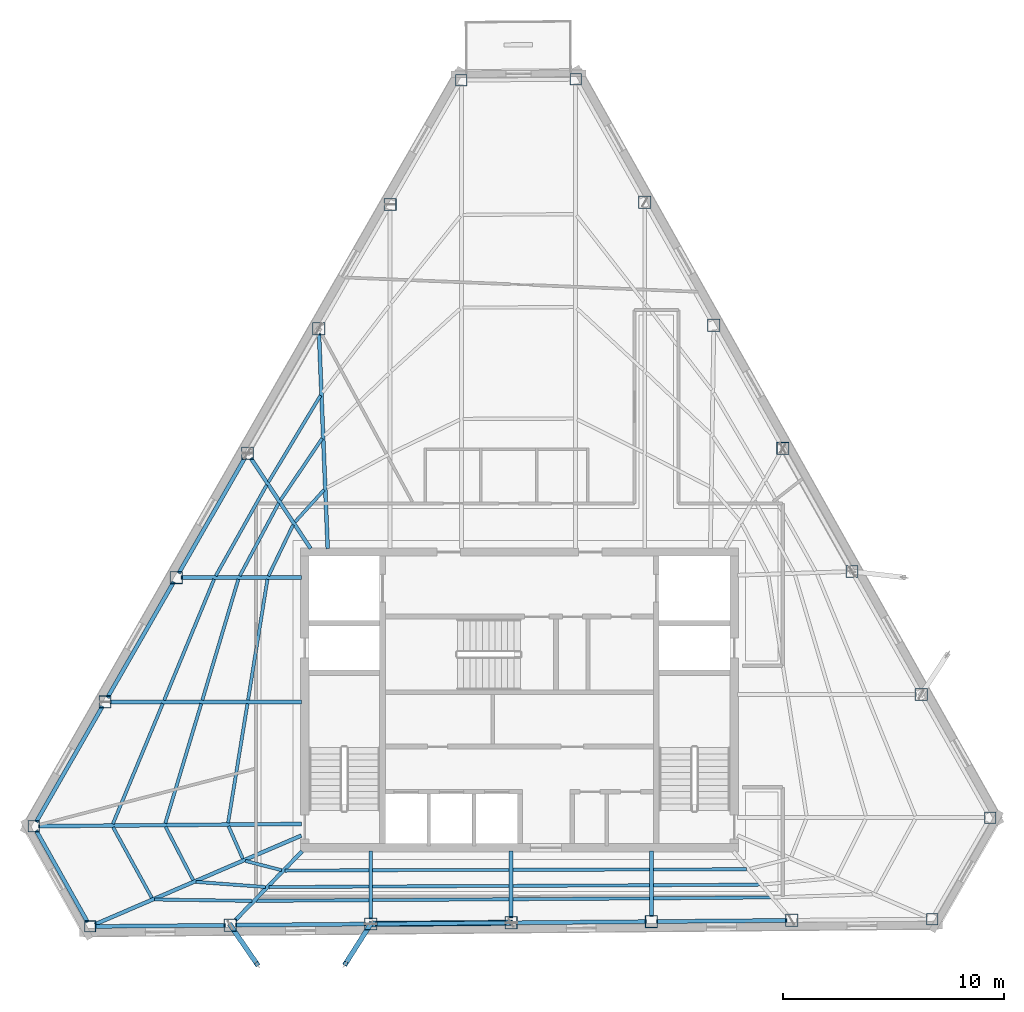
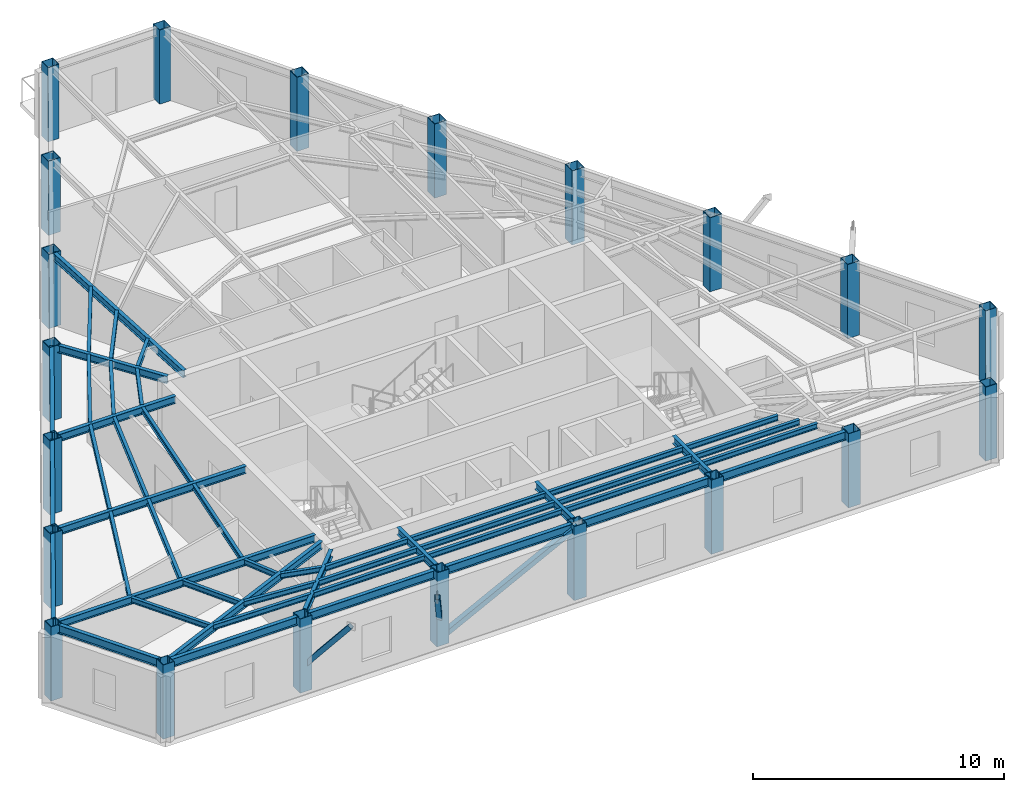
# One storey, part 1 of 11: 49 beams, 21 columns, 3 members.
"""IFC4 building model written with IfcOpenShell, lengths in metres."""

import ifcopenshell
import ifcopenshell.guid

model = None  # the IFC model being written
_history = None  # IfcOwnerHistory: only IFC2X3 demands one
_inside = {}  # id of a spatial element -> (the spatial element, [elements in it])
_under = {}  # id of a project, library or spatial element -> (it, [spatial elements below it])
_declared = {}  # id of a project -> (the project, [libraries it declares])
_typed = {}  # id of a type object -> (the type object, [elements of that type])
_made_of = {}  # id of a material, layer set ... -> (it, [elements and type objects made of it])


def new_model(schema):
    """Start an empty IFC model of exactly this schema.

    Asked for "IFC4X3", IfcOpenShell would pick the latest addendum, in which some entities
    have other attributes; the version numbers below select the first issue.
    IFC2X3 requires an IfcOwnerHistory on every rooted entity: one is made here for all.
    """
    global model, _history
    if schema == "IFC4X3":
        model = ifcopenshell.file(schema_version=(4, 3, 0, 0))
    else:
        model = ifcopenshell.file(schema=schema)
    _inside.clear()
    _under.clear()
    _declared.clear()
    _typed.clear()
    _made_of.clear()
    _history = None
    if model.schema == "IFC2X3":
        org = make("IfcOrganization", Name="unknown")
        user = make(
            "IfcPersonAndOrganization",
            ThePerson=make("IfcPerson", FamilyName="unknown"),
            TheOrganization=org,
        )
        app = make(
            "IfcApplication",
            ApplicationDeveloper=org,
            Version="unknown",
            ApplicationFullName="unknown",
            ApplicationIdentifier="unknown",
        )
        _history = make(
            "IfcOwnerHistory",
            OwningUser=user,
            OwningApplication=app,
            ChangeAction="ADDED",
            CreationDate=0,
        )
    return model


def make(cls, **values):
    """One entity of the class cls with the attributes given. An attribute that is None is left unset."""
    return model.create_entity(
        cls, **{name: value for name, value in values.items() if value is not None}
    )


def rooted(cls, **values):
    """An entity with a GlobalId (a new one), such as an element, a storey or a relation."""
    return make(cls, GlobalId=ifcopenshell.guid.new(), OwnerHistory=_history, **values)


def si_unit(unit_type, name, prefix=None):
    """IfcSIUnit, for example si_unit("LENGTHUNIT", "METRE", prefix="MILLI")."""
    return make("IfcSIUnit", UnitType=unit_type, Prefix=prefix, Name=name)


def assignment(units):
    """IfcUnitAssignment: the units of a project."""
    return None if units is None else make("IfcUnitAssignment", Units=units)


def point(xyz):
    """IfcCartesianPoint."""
    return None if xyz is None else make("IfcCartesianPoint", Coordinates=xyz)


def direction(xyz):
    """IfcDirection."""
    return None if xyz is None else make("IfcDirection", DirectionRatios=xyz)


def frame(location, z_axis=None, x_axis=None):
    """IfcAxis2Placement3D, a coordinate frame: its origin and axes. An axis left out is left unset."""
    return make(
        "IfcAxis2Placement3D",
        Location=point(location),
        Axis=direction(z_axis),
        RefDirection=direction(x_axis),
    )


def frame_2d(location, x_axis=None):
    """IfcAxis2Placement2D, a coordinate frame in the plane: its origin and x axis."""
    return make(
        "IfcAxis2Placement2D", Location=point(location), RefDirection=direction(x_axis)
    )


def origin():
    """The frame at (0, 0, 0) with its axes left unset."""
    return frame((0.0, 0.0, 0.0))


def origin_2d():
    """The frame at (0, 0) in the plane with its x axis left unset."""
    return frame_2d((0.0, 0.0))


def place(relative_to, where):
    """IfcLocalPlacement: puts the frame where relative to a parent placement (None: the world)."""
    return make(
        "IfcLocalPlacement", PlacementRelTo=relative_to, RelativePlacement=where
    )


def context(
    kind, dimensions, precision=None, world=None, true_north=None, identifier=None
):
    """IfcGeometricRepresentationContext, for example the 3D "Model" context."""
    return make(
        "IfcGeometricRepresentationContext",
        ContextIdentifier=identifier,
        ContextType=kind,
        CoordinateSpaceDimension=dimensions,
        Precision=precision,
        WorldCoordinateSystem=world,
        TrueNorth=true_north,
    )


def subcontext(parent, identifier, kind, view, scale=None):
    """IfcGeometricRepresentationSubContext, for example "Body" below "Model"."""
    return make(
        "IfcGeometricRepresentationSubContext",
        ContextIdentifier=identifier,
        ContextType=kind,
        ParentContext=parent,
        TargetScale=scale,
        TargetView=view,
    )


def project(units=None, contexts=None):
    """IfcProject with its units and contexts."""
    return rooted(
        "IfcProject",
        Name="project",
        RepresentationContexts=contexts,
        UnitsInContext=assignment(units),
    )


def spatial(cls, under=None, at=None, **own):
    """A site, building, storey or space (cls), placed at a placement, below another one or the project."""
    s = rooted(cls, ObjectPlacement=at, **own)
    if under is not None:
        _under.setdefault(under.id(), (under, []))[1].append(s)
    return s


def profile(cls, at=None, kind="AREA", **sizes):
    """A parametric profile (cls). Its sizes go by their IFC names, for example OverallWidth=200.0."""
    return make(cls, ProfileType=kind, Position=at, **sizes)


def hollow_rectangle(**sizes):
    """IfcRectangleHollowProfileDef."""
    return profile("IfcRectangleHollowProfileDef", **sizes)


def i_section(**sizes):
    """IfcIShapeProfileDef."""
    return profile("IfcIShapeProfileDef", **sizes)


def extrude(swept, where, along, depth):
    """IfcExtrudedAreaSolid: the profile swept, set in the frame where, extruded along a direction by depth."""
    return make(
        "IfcExtrudedAreaSolid",
        SweptArea=swept,
        Position=where,
        ExtrudedDirection=direction(along),
        Depth=depth,
    )


def shape(context_of_items, identifier, shape_type, items):
    """IfcShapeRepresentation: the items that make up one representation, for example the "Body"."""
    return make(
        "IfcShapeRepresentation",
        ContextOfItems=context_of_items,
        RepresentationIdentifier=identifier,
        RepresentationType=shape_type,
        Items=items,
    )


def material(Name=None, Category=None):
    """IfcMaterial."""
    return make("IfcMaterial", Name=Name, Category=Category)


def material_profile(
    of_material, cross_section, Name=None, Category=None, Priority=None
):
    """IfcMaterialProfile: a cross section and its material."""
    return make(
        "IfcMaterialProfile",
        Name=Name,
        Material=of_material,
        Profile=cross_section,
        Priority=Priority,
        Category=Category,
    )


def profile_set(profiles, Name=None, composite=None):
    """IfcMaterialProfileSet."""
    return make(
        "IfcMaterialProfileSet",
        Name=Name,
        MaterialProfiles=profiles,
        CompositeProfile=composite,
    )


def made_of(thing, what):
    """Note that an element or type object is made of a material, layer set ...; save() writes the relation."""
    if what is not None:
        _made_of.setdefault(what.id(), (what, []))[1].append(thing)
    return thing


def type_object(cls, material=None, **own):
    """A type object (cls), such as IfcWallType, which elements share."""
    return made_of(rooted(cls, **own), material)


def element(
    cls,
    number,
    at=None,
    inside=None,
    cuts=None,
    type_object=None,
    material=None,
    context=None,
    identifier="Body",
    shape_type=None,
    held_by="IfcProductDefinitionShape",
    body=None,
    shapes=None,
    **own,
):
    """One element of the class cls, such as IfcWall. Its Tag is "e" and its number.

    at: its placement. inside: the storey or other place that contains it. cuts: it is an
    opening in that element (IfcRelVoidsElement). A single representation is given by context,
    identifier, shape_type and body (its items); several are given by shapes. held_by: the class
    of the entity that holds the representations. save() writes the other relations.
    """
    e = rooted(cls, Tag="e%d" % number, ObjectPlacement=at, **own)
    if body is not None:
        shapes = [shape(context, identifier, shape_type, body)]
    if shapes is not None:
        e.Representation = make(held_by, Representations=shapes)
    if inside is not None:
        _inside.setdefault(inside.id(), (inside, []))[1].append(e)
    if cuts is not None:
        rooted(
            "IfcRelVoidsElement", RelatingBuildingElement=cuts, RelatedOpeningElement=e
        )
    if type_object is not None:
        _typed.setdefault(type_object.id(), (type_object, []))[1].append(e)
    return made_of(e, material)


def aggregate(whole, parts):
    """IfcRelAggregates: a whole, such as a stair, and the parts it consists of."""
    return rooted("IfcRelAggregates", RelatingObject=whole, RelatedObjects=parts)


def save(model, path):
    """Write the relations noted so far, then the file.

    IfcRelAggregates (storeys below a building ...), IfcRelContainedInSpatialStructure (elements
    in a storey), IfcRelDefinesByType, IfcRelAssociatesMaterial and IfcRelDeclares: one each for
    every whole, place, type object, material and project.
    """
    for whole, parts in _under.values():
        aggregate(whole, parts)
    for where, things in _inside.values():
        rooted(
            "IfcRelContainedInSpatialStructure",
            RelatedElements=things,
            RelatingStructure=where,
        )
    for kind, things in _typed.values():
        rooted("IfcRelDefinesByType", RelatedObjects=things, RelatingType=kind)
    for what, things in _made_of.values():
        rooted("IfcRelAssociatesMaterial", RelatedObjects=things, RelatingMaterial=what)
    for by, libraries in _declared.values():
        rooted("IfcRelDeclares", RelatingContext=by, RelatedDefinitions=libraries)
    model.write(path)


model = new_model("IFC4")

# Units and contexts
model_context = context("Model", 3, precision=1e-05, world=origin(), true_north=direction((0.0, 1.0)))
body_context = subcontext(model_context, "Body", "Model", "MODEL_VIEW")
ifc_project = project(units=[si_unit("LENGTHUNIT", "METRE"), si_unit("AREAUNIT", "SQUARE_METRE"), si_unit("VOLUMEUNIT", "CUBIC_METRE"), si_unit("PLANEANGLEUNIT", "RADIAN"), si_unit("MASSUNIT", "GRAM", prefix="KILO")], contexts=[model_context])

# Site, building, storey
site_placement = place(None, origin())
site = spatial("IfcSite", under=ifc_project, at=site_placement, CompositionType="ELEMENT")
building_placement = place(site_placement, origin())
building = spatial("IfcBuilding", under=site, at=building_placement, Name="Kavelnor Concourse Tower", CompositionType="ELEMENT")
storey_placement = place(building_placement, frame((0.0, 0.0, 297.25)))
storey = spatial("IfcBuildingStorey", under=building, at=storey_placement, Name="L75", CompositionType="ELEMENT", Elevation=297.25)

# Columns
ifc_material = material(Name="Steel Grade 350", Category="steel")
ifc_material_profile_1 = material_profile(ifc_material, hollow_rectangle(XDim=0.52001953125, YDim=0.52001953125, WallThickness=0.02392578125, at=origin_2d()), Name="SHS 520x520x24")
ifc_profile_set_1 = profile_set([ifc_material_profile_1], Name="Steel Grade 350")
column_type_1 = type_object("IfcColumnType", Name="COL-FOLD-Z4", PredefinedType="COLUMN", material=ifc_profile_set_1)
for number, where, z_axis, x_axis, name in (
    (1, (35.37451171875, 44.130615234375, 0.0), (0.0, 0.0, 1.0), (1.0, 0.0, 0.0), "L75 Perimeter Corner-Fold Column F0-B0"),
    (2, (16.03271484375, 10.386962890625, 0.0), (0.0, 0.0, 1.0), (1.0, 0.0, 0.0), "L75 Perimeter Corner-Fold Column F0-B6"),
    (3, (18.5791015625, 5.853515625, 0.0), (0.0, 0.0, 1.0), (1.0, 0.0, 0.0), "L75 Perimeter Corner-Fold Column F1-B0"),
    (4, (56.66650390625, 6.1845703125, 0.0), (0.0, 0.0, 1.0), (1.0, 0.0, 0.0), "L75 Perimeter Corner-Fold Column F1-B6"),
    (5, (59.29931640625, 10.777587890625, 0.0), (0.0, 0.0, 1.0), (1.0, 0.0, 0.0), "L75 Perimeter Corner-Fold Column F2-B0"),
    (6, (40.539306640625, 44.175537109375, 0.0), (0.0, 0.0, 1.0), (1.0, 0.0, 0.0), "L75 Perimeter Corner-Fold Column F2-B6"),
):
    element("IfcColumn", number, at=place(storey_placement, frame(where, z_axis=z_axis, x_axis=x_axis)), inside=storey, type_object=column_type_1, Name=name, PredefinedType="COLUMN", context=body_context, shape_type="SweptSolid", body=[
        extrude(hollow_rectangle(XDim=0.52001953125, YDim=0.52001953125, WallThickness=0.02392578125, at=origin_2d()), origin(), (0.0, 0.0, 1.0), 3.610107421875),
    ])
ifc_material_profile_2 = material_profile(ifc_material, hollow_rectangle(XDim=0.56005859375, YDim=0.56005859375, WallThickness=0.02490234375, at=origin_2d()), Name="SHS 560x560x25")
ifc_profile_set_2 = profile_set([ifc_material_profile_2], Name="Steel Grade 350")
column_type_2 = type_object("IfcColumnType", Name="COL-TUBE-Z4", PredefinedType="COLUMN", material=ifc_profile_set_2)
for number, where, z_axis, x_axis, name in (
    (7, (32.15087890625, 38.506591796875, 0.0), (0.0, 0.0, 1.0), (1.0, 0.0, 0.0), "L75 Perimeter Framed-Tube Column F0-B1"),
    (8, (28.927001953125, 32.8828125, 0.0), (0.0, 0.0, 1.0), (1.0, 0.0, 0.0), "L75 Perimeter Framed-Tube Column F0-B2"),
    (9, (25.70361328125, 27.2587890625, 0.0), (0.0, 0.0, 1.0), (1.0, 0.0, 0.0), "L75 Perimeter Framed-Tube Column F0-B3"),
    (10, (22.47998046875, 21.635009765625, 0.0), (0.0, 0.0, 1.0), (1.0, 0.0, 0.0), "L75 Perimeter Framed-Tube Column F0-B4"),
    (11, (19.256103515625, 16.010986328125, 0.0), (0.0, 0.0, 1.0), (1.0, 0.0, 0.0), "L75 Perimeter Framed-Tube Column F0-B5"),
    (12, (24.927001953125, 5.90869140625, 0.0), (0.0, 0.0, 1.0), (1.0, 0.0, 0.0), "L75 Perimeter Framed-Tube Column F1-B1"),
    (13, (31.27490234375, 5.9638671875, 0.0), (0.0, 0.0, 1.0), (1.0, 0.0, 0.0), "L75 Perimeter Framed-Tube Column F1-B2"),
    (14, (37.622802734375, 6.01904296875, 0.0), (0.0, 0.0, 1.0), (1.0, 0.0, 0.0), "L75 Perimeter Framed-Tube Column F1-B3"),
    (15, (43.970703125, 6.07421875, 0.0), (0.0, 0.0, 1.0), (1.0, 0.0, 0.0), "L75 Perimeter Framed-Tube Column F1-B4"),
    (16, (50.318603515625, 6.12939453125, 0.0), (0.0, 0.0, 1.0), (1.0, 0.0, 0.0), "L75 Perimeter Framed-Tube Column F1-B5"),
    (17, (56.172607421875, 16.343994140625, 0.0), (0.0, 0.0, 1.0), (1.0, 0.0, 0.0), "L75 Perimeter Framed-Tube Column F2-B1"),
    (18, (53.0458984375, 21.91015625, 0.0), (0.0, 0.0, 1.0), (1.0, 0.0, 0.0), "L75 Perimeter Framed-Tube Column F2-B2"),
    (19, (49.91943359375, 27.4765625, 0.0), (0.0, 0.0, 1.0), (1.0, 0.0, 0.0), "L75 Perimeter Framed-Tube Column F2-B3"),
    (20, (46.792724609375, 33.04296875, 0.0), (0.0, 0.0, 1.0), (1.0, 0.0, 0.0), "L75 Perimeter Framed-Tube Column F2-B4"),
    (21, (43.666015625, 38.609130859375, 0.0), (0.0, 0.0, 1.0), (1.0, 0.0, 0.0), "L75 Perimeter Framed-Tube Column F2-B5"),
):
    element("IfcColumn", number, at=place(storey_placement, frame(where, z_axis=z_axis, x_axis=x_axis)), inside=storey, type_object=column_type_2, Name=name, PredefinedType="COLUMN", context=body_context, shape_type="SweptSolid", body=[
        extrude(hollow_rectangle(XDim=0.56005859375, YDim=0.56005859375, WallThickness=0.02490234375, at=origin_2d()), origin(), (0.0, 0.0, 1.0), 3.610107421875),
    ])

# Beams
ifc_material_profile_3 = material_profile(ifc_material, i_section(OverallWidth=0.14599609375, OverallDepth=0.256103515625, WebThickness=0.00634765625, FlangeThickness=0.010986328125, at=origin_2d()), Name="250UB37")
ifc_profile_set_3 = profile_set([ifc_material_profile_3], Name="Steel Grade 350")
beam_type_1 = type_object("IfcBeamType", Name="BM-JOIST-250", PredefinedType="JOIST", material=ifc_profile_set_3)
beam_1_placement = place(storey_placement, frame((25.700927734375, 15.929931640625, 3.48193359375), z_axis=(-0.160524617671, -0.987031836934, 0.0), x_axis=(0.987031836934, -0.160524617671, 0.0)))
element("IfcBeam", 22, at=beam_1_placement, inside=storey, type_object=beam_type_1, Name="L75 Secondary Composite Joist 01-1", PredefinedType="JOIST", context=body_context, shape_type="SweptSolid", body=[
    extrude(i_section(OverallWidth=0.14599609375, OverallDepth=0.256103515625, WebThickness=0.00634765625, FlangeThickness=0.010986328125, at=origin_2d()), origin(), (0.0, 0.0, 1.0), 5.45849609375),
])
beam_2_placement = place(storey_placement, frame((23.611083984375, 15.932373046875, 3.48193359375), z_axis=(-0.287977435562, -0.957637194666, 0.0), x_axis=(0.957637194666, -0.287977435562, 0.0)))
element("IfcBeam", 23, at=beam_2_placement, inside=storey, type_object=beam_type_1, Name="L75 Secondary Composite Joist 01-2", PredefinedType="JOIST", context=body_context, shape_type="SweptSolid", body=[
    extrude(i_section(OverallWidth=0.14599609375, OverallDepth=0.256103515625, WebThickness=0.00634765625, FlangeThickness=0.010986328125, at=origin_2d()), origin(), (0.0, 0.0, 1.0), 5.65625),
])
beam_3_placement = place(storey_placement, frame((21.87060546875, 15.935302734375, 3.48193359375), z_axis=(-0.383226285793, -0.923654488365, 0.0), x_axis=(0.923654488365, -0.383226285793, 0.0)))
element("IfcBeam", 24, at=beam_3_placement, inside=storey, type_object=beam_type_1, Name="L75 Secondary Composite Joist 01-3", PredefinedType="JOIST", context=body_context, shape_type="SweptSolid", body=[
    extrude(i_section(OverallWidth=0.14599609375, OverallDepth=0.256103515625, WebThickness=0.00634765625, FlangeThickness=0.010986328125, at=origin_2d()), origin(), (0.0, 0.0, 1.0), 5.892333984375),
])
beam_4_placement = place(storey_placement, frame((24.844482421875, 10.38623046875, 3.48193359375), z_axis=(0.40195897402, -0.915657677959, 0.0), x_axis=(0.915657677959, 0.40195897402, 0.0)))
element("IfcBeam", 25, at=beam_4_placement, inside=storey, type_object=beam_type_1, Name="L75 Secondary Composite Joist 02-1", PredefinedType="JOIST", context=body_context, shape_type="SweptSolid", body=[
    extrude(i_section(OverallWidth=0.14599609375, OverallDepth=0.256103515625, WebThickness=0.00634765625, FlangeThickness=0.010986328125, at=origin_2d()), origin(), (0.0, 0.0, 1.0), 1.60595703125),
])
beam_5_placement = place(storey_placement, frame((21.99609375, 10.364501953125, 3.48193359375), z_axis=(0.459420475888, -0.888218906765, 0.0), x_axis=(0.888218906765, 0.459420475888, 0.0)))
element("IfcBeam", 26, at=beam_5_placement, inside=storey, type_object=beam_type_1, Name="L75 Secondary Composite Joist 02-2", PredefinedType="JOIST", context=body_context, shape_type="SweptSolid", body=[
    extrude(i_section(OverallWidth=0.14599609375, OverallDepth=0.256103515625, WebThickness=0.00634765625, FlangeThickness=0.010986328125, at=origin_2d()), origin(), (0.0, 0.0, 1.0), 2.71875),
])
beam_6_placement = place(storey_placement, frame((19.62060546875, 10.34521484375, 3.48193359375), z_axis=(0.481161048649, -0.876632217787, 0.0), x_axis=(0.876632217787, 0.481161048649, 0.0)))
element("IfcBeam", 27, at=beam_6_placement, inside=storey, type_object=beam_type_1, Name="L75 Secondary Composite Joist 02-3", PredefinedType="JOIST", context=body_context, shape_type="SweptSolid", body=[
    extrude(i_section(OverallWidth=0.14599609375, OverallDepth=0.256103515625, WebThickness=0.00634765625, FlangeThickness=0.010986328125, at=origin_2d()), origin(), (0.0, 0.0, 1.0), 3.649658203125),
])
beam_7_placement = place(storey_placement, frame((25.6025390625, 8.8203125, 3.48193359375), z_axis=(0.968518754514, -0.24894059965, 0.0), x_axis=(0.24894059965, 0.968518754514, 0.0)))
element("IfcBeam", 28, at=beam_7_placement, inside=storey, type_object=beam_type_1, Name="L75 Secondary Composite Joist 03-1", PredefinedType="JOIST", context=body_context, shape_type="SweptSolid", body=[
    extrude(i_section(OverallWidth=0.14599609375, OverallDepth=0.256103515625, WebThickness=0.00634765625, FlangeThickness=0.010986328125, at=origin_2d()), origin(), (0.0, 0.0, 1.0), 1.693603515625),
])
beam_8_placement = place(storey_placement, frame((23.364501953125, 7.870849609375, 3.48193359375), z_axis=(0.99728731844, -0.073607095297, 0.0), x_axis=(0.073607095297, 0.99728731844, 0.0)))
element("IfcBeam", 29, at=beam_8_placement, inside=storey, type_object=beam_type_1, Name="L75 Secondary Composite Joist 03-2", PredefinedType="JOIST", context=body_context, shape_type="SweptSolid", body=[
    extrude(i_section(OverallWidth=0.14599609375, OverallDepth=0.256103515625, WebThickness=0.00634765625, FlangeThickness=0.010986328125, at=origin_2d()), origin(), (0.0, 0.0, 1.0), 3.160888671875),
])
beam_9_placement = place(storey_placement, frame((21.498046875, 7.07275390625, 3.48193359375), z_axis=(0.999903712554, -0.013876801496, 0.0), x_axis=(0.013876801496, 0.999903712554, 0.0)))
element("IfcBeam", 30, at=beam_9_placement, inside=storey, type_object=beam_type_1, Name="L75 Secondary Composite Joist 03-3", PredefinedType="JOIST", context=body_context, shape_type="SweptSolid", body=[
    extrude(i_section(OverallWidth=0.14599609375, OverallDepth=0.256103515625, WebThickness=0.00634765625, FlangeThickness=0.010986328125, at=origin_2d()), origin(), (0.0, 0.0, 1.0), 4.416015625),
])
beam_10_placement = place(storey_placement, frame((27.404296875, 8.378662109375, 3.48193359375), z_axis=(0.999986711688, 0.005155235013, 0.0), x_axis=(-0.005155235013, 0.999986711688, 0.0)))
element("IfcBeam", 31, at=beam_10_placement, inside=storey, type_object=beam_type_1, Name="L75 Secondary Composite Joist 04-1", PredefinedType="JOIST", context=body_context, shape_type="SweptSolid", body=[
    extrude(i_section(OverallWidth=0.14599609375, OverallDepth=0.256103515625, WebThickness=0.00634765625, FlangeThickness=0.010986328125, at=origin_2d()), origin(), (0.0, 0.0, 1.0), 3.78857421875),
])
beam_11_placement = place(storey_placement, frame((26.680419921875, 7.632568359375, 3.48193359375), z_axis=(0.999981640994, 0.006059511107, 0.0), x_axis=(-0.006059511107, 0.999981640994, 0.0)))
element("IfcBeam", 32, at=beam_11_placement, inside=storey, type_object=beam_type_1, Name="L75 Secondary Composite Joist 04-2", PredefinedType="JOIST", context=body_context, shape_type="SweptSolid", body=[
    extrude(i_section(OverallWidth=0.14599609375, OverallDepth=0.256103515625, WebThickness=0.00634765625, FlangeThickness=0.010986328125, at=origin_2d()), origin(), (0.0, 0.0, 1.0), 4.512451171875),
])
beam_12_placement = place(storey_placement, frame((26.077392578125, 7.010986328125, 3.48193359375), z_axis=(0.999978311894, 0.006586026203, 0.0), x_axis=(-0.006586026203, 0.999978311894, 0.0)))
element("IfcBeam", 33, at=beam_12_placement, inside=storey, type_object=beam_type_1, Name="L75 Secondary Composite Joist 04-3", PredefinedType="JOIST", context=body_context, shape_type="SweptSolid", body=[
    extrude(i_section(OverallWidth=0.14599609375, OverallDepth=0.256103515625, WebThickness=0.00634765625, FlangeThickness=0.010986328125, at=origin_2d()), origin(), (0.0, 0.0, 1.0), 5.115478515625),
])
for number, where, z_axis, x_axis, name in (
    (34, (31.35693359375, 8.39892578125, 3.48193359375), (0.999997100042, 0.0024082997, 0.0), (-0.0024082997, 0.999997100042, 0.0), "L75 Secondary Composite Joist 05-1"),
    (35, (31.35693359375, 7.66064453125, 3.48193359375), (0.999989693223, 0.004540203511, 0.0), (-0.004540203511, 0.999989693223, 0.0), "L75 Secondary Composite Joist 05-2"),
    (36, (31.35693359375, 7.045654296875, 3.48193359375), (0.999980297772, 0.006277265875, 0.0), (-0.006277265875, 0.999980297772, 0.0), "L75 Secondary Composite Joist 05-3"),
):
    element("IfcBeam", number, at=place(storey_placement, frame(where, z_axis=z_axis, x_axis=x_axis)), inside=storey, type_object=beam_type_1, Name=name, PredefinedType="JOIST", context=body_context, shape_type="SweptSolid", body=[
        extrude(i_section(OverallWidth=0.14599609375, OverallDepth=0.256103515625, WebThickness=0.00634765625, FlangeThickness=0.010986328125, at=origin_2d()), origin(), (0.0, 0.0, 1.0), 6.183837890625),
    ])
for number, where, z_axis, x_axis, name in (
    (37, (37.704833984375, 8.414306640625, 3.48193359375), (0.999997100271, 0.002408204624, 0.0), (-0.002408204624, 0.999997100271, 0.0), "L75 Secondary Composite Joist 06-1"),
    (38, (37.704833984375, 7.689453125, 3.48193359375), (0.999989872489, 0.004500546603, 0.0), (-0.004500546603, 0.999989872489, 0.0), "L75 Secondary Composite Joist 06-2"),
    (39, (37.704833984375, 7.08544921875, 3.48193359375), (0.999980546349, 0.006237541505, 0.0), (-0.006237541505, 0.999980546349, 0.0), "L75 Secondary Composite Joist 06-3"),
):
    element("IfcBeam", number, at=place(storey_placement, frame(where, z_axis=z_axis, x_axis=x_axis)), inside=storey, type_object=beam_type_1, Name=name, PredefinedType="JOIST", context=body_context, shape_type="SweptSolid", body=[
        extrude(i_section(OverallWidth=0.14599609375, OverallDepth=0.256103515625, WebThickness=0.00634765625, FlangeThickness=0.010986328125, at=origin_2d()), origin(), (0.0, 0.0, 1.0), 6.18408203125),
    ])
beam_13_placement = place(storey_placement, frame((44.052734375, 8.4296875, 3.48193359375), z_axis=(0.99999662365, 0.002598593756, 0.0), x_axis=(-0.002598593756, 0.99999662365, 0.0)))
element("IfcBeam", 40, at=beam_13_placement, inside=storey, type_object=beam_type_1, Name="L75 Secondary Composite Joist 07-1", PredefinedType="JOIST", context=body_context, shape_type="SweptSolid", body=[
    extrude(i_section(OverallWidth=0.14599609375, OverallDepth=0.256103515625, WebThickness=0.00634765625, FlangeThickness=0.010986328125, at=origin_2d()), origin(), (0.0, 0.0, 1.0), 4.227783203125),
])
beam_14_placement = place(storey_placement, frame((44.052734375, 7.71826171875, 3.48193359375), z_axis=(0.999983001576, 0.005830656857, 0.0), x_axis=(-0.005830656857, 0.999983001576, 0.0)))
element("IfcBeam", 41, at=beam_14_placement, inside=storey, type_object=beam_type_1, Name="L75 Secondary Composite Joist 07-2", PredefinedType="JOIST", context=body_context, shape_type="SweptSolid", body=[
    extrude(i_section(OverallWidth=0.14599609375, OverallDepth=0.256103515625, WebThickness=0.00634765625, FlangeThickness=0.010986328125, at=origin_2d()), origin(), (0.0, 0.0, 1.0), 4.815185546875),
])
beam_15_placement = place(storey_placement, frame((44.052734375, 7.125244140625, 3.48193359375), z_axis=(0.999967936708, 0.008007843381, 0.0), x_axis=(-0.008007843381, 0.999967936708, 0.0)))
element("IfcBeam", 42, at=beam_15_placement, inside=storey, type_object=beam_type_1, Name="L75 Secondary Composite Joist 07-3", PredefinedType="JOIST", context=body_context, shape_type="SweptSolid", body=[
    extrude(i_section(OverallWidth=0.14599609375, OverallDepth=0.256103515625, WebThickness=0.00634765625, FlangeThickness=0.010986328125, at=origin_2d()), origin(), (0.0, 0.0, 1.0), 5.304931640625),
])
beam_16_placement = place(storey_placement, frame((29.16455078125, 25.6015625, 3.48193359375), z_axis=(-0.670481499235, -0.741926249154, 0.0), x_axis=(0.741926249154, -0.670481499235, 0.0)))
element("IfcBeam", 43, at=beam_16_placement, inside=storey, type_object=beam_type_1, Name="L75 Secondary Composite Joist 19-1", PredefinedType="JOIST", context=body_context, shape_type="SweptSolid", body=[
    extrude(i_section(OverallWidth=0.14599609375, OverallDepth=0.256103515625, WebThickness=0.00634765625, FlangeThickness=0.010986328125, at=origin_2d()), origin(), (0.0, 0.0, 1.0), 1.95458984375),
])
beam_17_placement = place(storey_placement, frame((29.0791015625, 27.927734375, 3.48193359375), z_axis=(-0.559580023015, -0.82877632558, 0.0), x_axis=(0.82877632558, -0.559580023015, 0.0)))
element("IfcBeam", 44, at=beam_17_placement, inside=storey, type_object=beam_type_1, Name="L75 Secondary Composite Joist 19-2", PredefinedType="JOIST", context=body_context, shape_type="SweptSolid", body=[
    extrude(i_section(OverallWidth=0.14599609375, OverallDepth=0.256103515625, WebThickness=0.00634765625, FlangeThickness=0.010986328125, at=origin_2d()), origin(), (0.0, 0.0, 1.0), 3.36474609375),
])
beam_18_placement = place(storey_placement, frame((29.00390625, 29.8701171875, 3.48193359375), z_axis=(-0.515274302479, -0.857025316549, 0.0), x_axis=(0.857025316549, -0.515274302479, 0.0)))
element("IfcBeam", 45, at=beam_18_placement, inside=storey, type_object=beam_type_1, Name="L75 Secondary Composite Joist 19-3", PredefinedType="JOIST", context=body_context, shape_type="SweptSolid", body=[
    extrude(i_section(OverallWidth=0.14599609375, OverallDepth=0.256103515625, WebThickness=0.00634765625, FlangeThickness=0.010986328125, at=origin_2d()), origin(), (0.0, 0.0, 1.0), 4.564208984375),
])
beam_19_placement = place(storey_placement, frame((27.76318359375, 24.0166015625, 3.48193359375), z_axis=(-0.433703843207, -0.901055479084, 0.0), x_axis=(0.901055479084, -0.433703843207, 0.0)))
element("IfcBeam", 46, at=beam_19_placement, inside=storey, type_object=beam_type_1, Name="L75 Secondary Composite Joist 20-1", PredefinedType="JOIST", context=body_context, shape_type="SweptSolid", body=[
    extrude(i_section(OverallWidth=0.14599609375, OverallDepth=0.256103515625, WebThickness=0.00634765625, FlangeThickness=0.010986328125, at=origin_2d()), origin(), (0.0, 0.0, 1.0), 2.561279296875),
])
beam_20_placement = place(storey_placement, frame((27.11181640625, 24.998779296875, 3.48193359375), z_axis=(-0.471941928919, -0.881629636371, 0.0), x_axis=(0.881629636371, -0.471941928919, 0.0)))
element("IfcBeam", 47, at=beam_20_placement, inside=storey, type_object=beam_type_1, Name="L75 Secondary Composite Joist 20-2", PredefinedType="JOIST", context=body_context, shape_type="SweptSolid", body=[
    extrude(i_section(OverallWidth=0.14599609375, OverallDepth=0.256103515625, WebThickness=0.00634765625, FlangeThickness=0.010986328125, at=origin_2d()), origin(), (0.0, 0.0, 1.0), 3.7333984375),
])
beam_21_placement = place(storey_placement, frame((26.56982421875, 25.816650390625, 3.48193359375), z_axis=(-0.489385502084, -0.872067560657, 0.0), x_axis=(0.872067560657, -0.489385502084, 0.0)))
element("IfcBeam", 48, at=beam_21_placement, inside=storey, type_object=beam_type_1, Name="L75 Secondary Composite Joist 20-3", PredefinedType="JOIST", context=body_context, shape_type="SweptSolid", body=[
    extrude(i_section(OverallWidth=0.14599609375, OverallDepth=0.256103515625, WebThickness=0.00634765625, FlangeThickness=0.010986328125, at=origin_2d()), origin(), (0.0, 0.0, 1.0), 4.71337890625),
])
beam_22_placement = place(storey_placement, frame((26.603759765625, 21.553955078125, 3.48193359375), z_axis=(-0.158477584939, -0.987362575284, 0.0), x_axis=(0.987362575284, -0.158477584939, 0.0)))
element("IfcBeam", 49, at=beam_22_placement, inside=storey, type_object=beam_type_1, Name="L75 Secondary Composite Joist 21-1", PredefinedType="JOIST", context=body_context, shape_type="SweptSolid", body=[
    extrude(i_section(OverallWidth=0.14599609375, OverallDepth=0.256103515625, WebThickness=0.00634765625, FlangeThickness=0.010986328125, at=origin_2d()), origin(), (0.0, 0.0, 1.0), 5.531982421875),
])
beam_23_placement = place(storey_placement, frame((25.28759765625, 21.556396484375, 3.48193359375), z_axis=(-0.285635496747, -0.958338334305, 0.0), x_axis=(0.958338334305, -0.285635496747, 0.0)))
element("IfcBeam", 50, at=beam_23_placement, inside=storey, type_object=beam_type_1, Name="L75 Secondary Composite Joist 21-2", PredefinedType="JOIST", context=body_context, shape_type="SweptSolid", body=[
    extrude(i_section(OverallWidth=0.14599609375, OverallDepth=0.256103515625, WebThickness=0.00634765625, FlangeThickness=0.010986328125, at=origin_2d()), origin(), (0.0, 0.0, 1.0), 5.704345703125),
])
beam_24_placement = place(storey_placement, frame((24.19189453125, 21.55908203125, 3.48193359375), z_axis=(-0.38150051946, -0.924368624333, 0.0), x_axis=(0.924368624333, -0.38150051946, 0.0)))
element("IfcBeam", 51, at=beam_24_placement, inside=storey, type_object=beam_type_1, Name="L75 Secondary Composite Joist 21-3", PredefinedType="JOIST", context=body_context, shape_type="SweptSolid", body=[
    extrude(i_section(OverallWidth=0.14599609375, OverallDepth=0.256103515625, WebThickness=0.00634765625, FlangeThickness=0.010986328125, at=origin_2d()), origin(), (0.0, 0.0, 1.0), 5.920166015625),
])
ifc_material_profile_4 = material_profile(ifc_material, i_section(OverallWidth=0.172119140625, OverallDepth=0.35888671875, WebThickness=0.008056640625, FlangeThickness=0.012939453125, at=origin_2d()), Name="360UB56")
ifc_profile_set_4 = profile_set([ifc_material_profile_4], Name="Steel Grade 350")
beam_type_2 = type_object("IfcBeamType", Name="BM-PRIMARY-360", PredefinedType="BEAM", material=ifc_profile_set_4)
beam_25_placement = place(storey_placement, frame((29.329833984375, 22.93994140625, 3.430419921875), z_axis=(-0.040470031992, 0.999180752672, 0.0), x_axis=(-0.999180752672, -0.040470031992, 0.0)))
element("IfcBeam", 52, at=beam_25_placement, inside=storey, type_object=beam_type_2, Name="L75 Primary Floor Girder F0-B2", PredefinedType="BEAM", context=body_context, shape_type="SweptSolid", body=[
    extrude(i_section(OverallWidth=0.172119140625, OverallDepth=0.35888671875, WebThickness=0.008056640625, FlangeThickness=0.012939453125, at=origin_2d()), origin(), (0.0, 0.0, 1.0), 9.730712890625),
])
beam_26_placement = place(storey_placement, frame((28.555419921875, 22.946533203125, 3.430419921875), z_axis=(-0.551602317996, 0.83410723698, 0.0), x_axis=(-0.83410723698, -0.551602317996, 0.0)))
element("IfcBeam", 53, at=beam_26_placement, inside=storey, type_object=beam_type_2, Name="L75 Primary Floor Girder F0-B3", PredefinedType="BEAM", context=body_context, shape_type="SweptSolid", body=[
    extrude(i_section(OverallWidth=0.172119140625, OverallDepth=0.35888671875, WebThickness=0.008056640625, FlangeThickness=0.012939453125, at=origin_2d()), origin(), (0.0, 0.0, 1.0), 4.898193359375),
])
beam_27_placement = place(storey_placement, frame((28.139892578125, 21.635009765625, 3.430419921875), z_axis=(-1.0, 0.0, 0.0), x_axis=(0.0, -1.0, 0.0)))
element("IfcBeam", 54, at=beam_27_placement, inside=storey, type_object=beam_type_2, Name="L75 Primary Floor Girder F0-B4", PredefinedType="BEAM", context=body_context, shape_type="SweptSolid", body=[
    extrude(i_section(OverallWidth=0.172119140625, OverallDepth=0.35888671875, WebThickness=0.008056640625, FlangeThickness=0.012939453125, at=origin_2d()), origin(), (0.0, 0.0, 1.0), 5.43994140625),
])
beam_28_placement = place(storey_placement, frame((28.139892578125, 16.010986328125, 3.430419921875), z_axis=(-1.0, 0.0, 0.0), x_axis=(0.0, -1.0, 0.0)))
element("IfcBeam", 55, at=beam_28_placement, inside=storey, type_object=beam_type_2, Name="L75 Primary Floor Girder F0-B5", PredefinedType="BEAM", context=body_context, shape_type="SweptSolid", body=[
    extrude(i_section(OverallWidth=0.172119140625, OverallDepth=0.35888671875, WebThickness=0.008056640625, FlangeThickness=0.012939453125, at=origin_2d()), origin(), (0.0, 0.0, 1.0), 8.66357421875),
])
beam_29_placement = place(storey_placement, frame((28.139892578125, 10.489501953125, 3.430419921875), z_axis=(-0.999964201769, -0.008461393533, 0.0), x_axis=(0.008461393533, -0.999964201769, 0.0)))
element("IfcBeam", 56, at=beam_29_placement, inside=storey, type_object=beam_type_2, Name="L75 Primary Floor Girder F0-B6", PredefinedType="BEAM", context=body_context, shape_type="SweptSolid", body=[
    extrude(i_section(OverallWidth=0.172119140625, OverallDepth=0.35888671875, WebThickness=0.008056640625, FlangeThickness=0.012939453125, at=origin_2d()), origin(), (0.0, 0.0, 1.0), 11.8876953125),
])
beam_30_placement = place(storey_placement, frame((28.13671875, 9.965087890625, 3.430419921875), z_axis=(-0.918601077184, -0.395186109317, 0.0), x_axis=(0.395186109317, -0.918601077184, 0.0)))
element("IfcBeam", 57, at=beam_30_placement, inside=storey, type_object=beam_type_2, Name="L75 Primary Floor Girder F1-B0", PredefinedType="BEAM", context=body_context, shape_type="SweptSolid", body=[
    extrude(i_section(OverallWidth=0.172119140625, OverallDepth=0.35888671875, WebThickness=0.008056640625, FlangeThickness=0.012939453125, at=origin_2d()), origin(), (0.0, 0.0, 1.0), 10.161376953125),
])
beam_31_placement = place(storey_placement, frame((28.16650390625, 9.248779296875, 3.430419921875), z_axis=(-0.696200419079, -0.71784746045, 0.0), x_axis=(0.71784746045, -0.696200419079, 0.0)))
element("IfcBeam", 58, at=beam_31_placement, inside=storey, type_object=beam_type_2, Name="L75 Primary Floor Girder F1-B1", PredefinedType="BEAM", context=body_context, shape_type="SweptSolid", body=[
    extrude(i_section(OverallWidth=0.172119140625, OverallDepth=0.35888671875, WebThickness=0.008056640625, FlangeThickness=0.012939453125, at=origin_2d()), origin(), (0.0, 0.0, 1.0), 4.330810546875),
])
beam_32_placement = place(storey_placement, frame((31.27490234375, 9.260009765625, 3.430419921875), z_axis=(0.0, -1.0, 0.0), x_axis=(1.0, 0.0, 0.0)))
element("IfcBeam", 59, at=beam_32_placement, inside=storey, type_object=beam_type_2, Name="L75 Primary Floor Girder F1-B2", PredefinedType="BEAM", context=body_context, shape_type="SweptSolid", body=[
    extrude(i_section(OverallWidth=0.172119140625, OverallDepth=0.35888671875, WebThickness=0.008056640625, FlangeThickness=0.012939453125, at=origin_2d()), origin(), (0.0, 0.0, 1.0), 3.076171875),
])
beam_33_placement = place(storey_placement, frame((37.622802734375, 9.260009765625, 3.430419921875), z_axis=(0.0, -1.0, 0.0), x_axis=(1.0, 0.0, 0.0)))
element("IfcBeam", 60, at=beam_33_placement, inside=storey, type_object=beam_type_2, Name="L75 Primary Floor Girder F1-B3", PredefinedType="BEAM", context=body_context, shape_type="SweptSolid", body=[
    extrude(i_section(OverallWidth=0.172119140625, OverallDepth=0.35888671875, WebThickness=0.008056640625, FlangeThickness=0.012939453125, at=origin_2d()), origin(), (0.0, 0.0, 1.0), 3.02099609375),
])
beam_34_placement = place(storey_placement, frame((43.970703125, 9.260009765625, 3.430419921875), z_axis=(0.0, -1.0, 0.0), x_axis=(1.0, 0.0, 0.0)))
element("IfcBeam", 61, at=beam_34_placement, inside=storey, type_object=beam_type_2, Name="L75 Primary Floor Girder F1-B4", PredefinedType="BEAM", context=body_context, shape_type="SweptSolid", body=[
    extrude(i_section(OverallWidth=0.172119140625, OverallDepth=0.35888671875, WebThickness=0.008056640625, FlangeThickness=0.012939453125, at=origin_2d()), origin(), (0.0, 0.0, 1.0), 2.9658203125),
])
ifc_material_profile_5 = material_profile(ifc_material, i_section(OverallWidth=0.177978515625, OverallDepth=0.406005859375, WebThickness=0.0078125, FlangeThickness=0.0126953125, at=origin_2d()), Name="410UB59")
ifc_profile_set_5 = profile_set([ifc_material_profile_5], Name="Steel Grade 350")
beam_type_3 = type_object("IfcBeamType", Name="BM-SPANDREL-Z4", PredefinedType="SPANDREL", material=ifc_profile_set_5)
for number, where, z_axis, x_axis, name in (
    (62, (25.591552734375, 27.063720703125, 3.406982421875), (-0.497276079299, -0.867592358748, 0.0), (0.867592358748, -0.497276079299, 0.0), "L75 Perimeter Tube Spandrel Beam F0-B3"),
    (63, (22.367919921875, 21.439697265625, 3.406982421875), (-0.497276079299, -0.867592358748, 0.0), (0.867592358748, -0.497276079299, 0.0), "L75 Perimeter Tube Spandrel Beam F0-B4"),
):
    element("IfcBeam", number, at=place(storey_placement, frame(where, z_axis=z_axis, x_axis=x_axis)), inside=storey, type_object=beam_type_3, Name=name, PredefinedType="SPANDREL", context=body_context, shape_type="SweptSolid", body=[
        extrude(i_section(OverallWidth=0.177978515625, OverallDepth=0.406005859375, WebThickness=0.0078125, FlangeThickness=0.0126953125, at=origin_2d()), origin(), (0.0, 0.0, 1.0), 6.032470703125),
    ])
beam_35_placement = place(storey_placement, frame((19.144287109375, 15.815673828125, 3.406982421875), z_axis=(-0.497293540646, -0.867582350231, 0.0), x_axis=(0.867582350231, -0.497293540646, 0.0)))
element("IfcBeam", 64, at=beam_35_placement, inside=storey, type_object=beam_type_3, Name="L75 Perimeter Tube Spandrel Beam F0-B5", PredefinedType="SPANDREL", context=body_context, shape_type="SweptSolid", body=[
    extrude(i_section(OverallWidth=0.177978515625, OverallDepth=0.406005859375, WebThickness=0.0078125, FlangeThickness=0.0126953125, at=origin_2d()), origin(), (0.0, 0.0, 1.0), 6.0322265625),
])
for number, where, z_axis, x_axis, name in (
    (65, (18.80419921875, 5.85546875, 3.406982421875), (0.999962575828, 0.008651412773, 0.0), (-0.008651412773, 0.999962575828, 0.0), "L75 Perimeter Tube Spandrel Beam F1-B0"),
    (66, (25.152099609375, 5.91064453125, 3.406982421875), (0.999962216866, 0.008692803972, 0.0), (-0.008692803972, 0.999962216866, 0.0), "L75 Perimeter Tube Spandrel Beam F1-B1"),
    (67, (31.5, 5.9658203125, 3.406982421875), (0.999962216866, 0.008692803972, 0.0), (-0.008692803972, 0.999962216866, 0.0), "L75 Perimeter Tube Spandrel Beam F1-B2"),
):
    element("IfcBeam", number, at=place(storey_placement, frame(where, z_axis=z_axis, x_axis=x_axis)), inside=storey, type_object=beam_type_3, Name=name, PredefinedType="SPANDREL", context=body_context, shape_type="SweptSolid", body=[
        extrude(i_section(OverallWidth=0.177978515625, OverallDepth=0.406005859375, WebThickness=0.0078125, FlangeThickness=0.0126953125, at=origin_2d()), origin(), (0.0, 0.0, 1.0), 5.89794921875),
    ])
for number, where, z_axis, x_axis, name in (
    (68, (37.847900390625, 6.02099609375, 3.406982421875), (0.999962578926, 0.008651054681, 0.0), (-0.008651054681, 0.999962578926, 0.0), "L75 Perimeter Tube Spandrel Beam F1-B3"),
    (69, (44.19580078125, 6.076171875, 3.406982421875), (0.999962578926, 0.008651054681, 0.0), (-0.008651054681, 0.999962578926, 0.0), "L75 Perimeter Tube Spandrel Beam F1-B4"),
):
    element("IfcBeam", number, at=place(storey_placement, frame(where, z_axis=z_axis, x_axis=x_axis)), inside=storey, type_object=beam_type_3, Name=name, PredefinedType="SPANDREL", context=body_context, shape_type="SweptSolid", body=[
        extrude(i_section(OverallWidth=0.177978515625, OverallDepth=0.406005859375, WebThickness=0.0078125, FlangeThickness=0.0126953125, at=origin_2d()), origin(), (0.0, 0.0, 1.0), 5.898193359375),
    ])
beam_36_placement = place(storey_placement, frame((16.142822265625, 10.19091796875, 3.406982421875), z_axis=(0.489726723102, -0.871875986984, 0.0), x_axis=(0.871875986984, 0.489726723102, 0.0)))
element("IfcBeam", 70, at=beam_36_placement, inside=storey, type_object=beam_type_3, Name="L75 Chamfer Facet Spandrel Beam C1", PredefinedType="SPANDREL", context=body_context, shape_type="SweptSolid", body=[
    extrude(i_section(OverallWidth=0.177978515625, OverallDepth=0.406005859375, WebThickness=0.0078125, FlangeThickness=0.0126953125, at=origin_2d()), origin(), (0.0, 0.0, 1.0), 4.75),
])

# Members
ifc_material_profile_6 = material_profile(ifc_material, hollow_rectangle(XDim=0.219970703125, YDim=0.219970703125, WallThickness=0.013916015625, at=origin_2d()), Name="SHS 220x220x14")
ifc_profile_set_6 = profile_set([ifc_material_profile_6], Name="Steel Grade 350")
member_type_1 = type_object("IfcMemberType", Name="MBR-BALC-STRUT-220", PredefinedType="STRUT", material=ifc_profile_set_6)
member_1_placement = place(storey_placement, frame((24.927001953125, 5.90869140625, 1.050048828125), z_axis=(0.358370188264, -0.522399602641, 0.773737334839), x_axis=(0.824615957945, 0.565692957268, 0.0)))
element("IfcMember", 71, at=member_1_placement, inside=storey, type_object=member_type_1, Name="L75 Tree Balcony Raking Knee Strut 1-A", PredefinedType="STRUT", context=body_context, shape_type="SweptSolid", body=[
    extrude(hollow_rectangle(XDim=0.219970703125, YDim=0.219970703125, WallThickness=0.013916015625, at=origin_2d()), origin(), (0.0, 0.0, 1.0), 3.36669921875),
])
member_2_placement = place(storey_placement, frame((31.27490234375, 5.9638671875, 1.050048828125), z_axis=(-0.339377749788, -0.533712345762, 0.774579805398), x_axis=(0.843845757518, -0.536585815614, 0.0)))
element("IfcMember", 72, at=member_2_placement, inside=storey, type_object=member_type_1, Name="L75 Tree Balcony Raking Knee Strut 1-B", PredefinedType="STRUT", context=body_context, shape_type="SweptSolid", body=[
    extrude(hollow_rectangle(XDim=0.219970703125, YDim=0.219970703125, WallThickness=0.013916015625, at=origin_2d()), origin(), (0.0, 0.0, 1.0), 3.363037109375),
])
ifc_material_profile_7 = material_profile(ifc_material, hollow_rectangle(XDim=0.25, YDim=0.25, WallThickness=0.01611328125, at=origin_2d()), Name="SHS 250x250x16")
ifc_profile_set_7 = profile_set([ifc_material_profile_7], Name="Steel Grade 350")
member_type_2 = type_object("IfcMemberType", Name="MBR-TUBE-DIAG-Z4", PredefinedType="BRACE", material=ifc_profile_set_7)
member_3_placement = place(storey_placement, frame((31.27490234375, 5.9638671875, 0.219970703125), z_axis=(0.893663471763, 0.007767699112, 0.448670549609), x_axis=(-0.008691645063, 0.99996222694, 0.0)))
element("IfcMember", 73, at=member_3_placement, inside=storey, type_object=member_type_2, Name="L75 Framed-Tube Bracing Diagonal F1-B2", PredefinedType="BRACE", context=body_context, shape_type="SweptSolid", body=[
    extrude(hollow_rectangle(XDim=0.25, YDim=0.25, WallThickness=0.01611328125, at=origin_2d()), origin(), (0.0, 0.0, 1.0), 7.103271484375),
])

save(model, "model.ifc")
